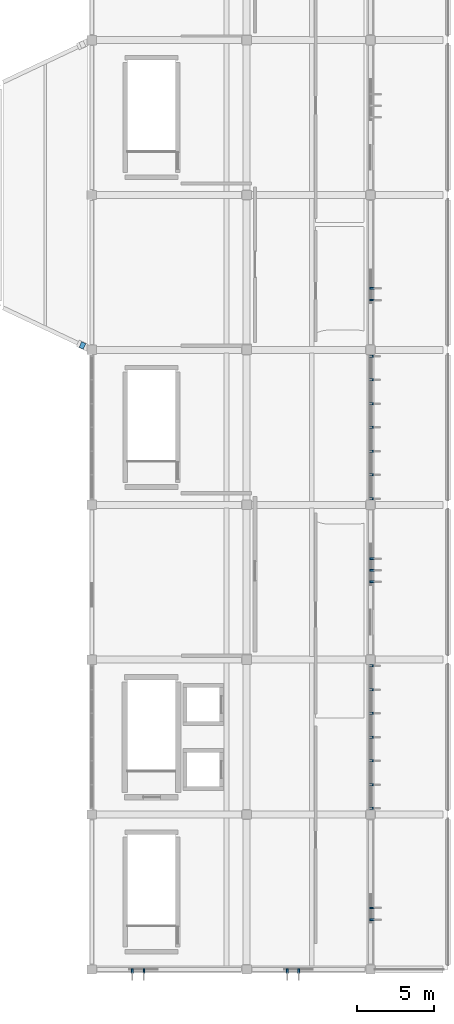
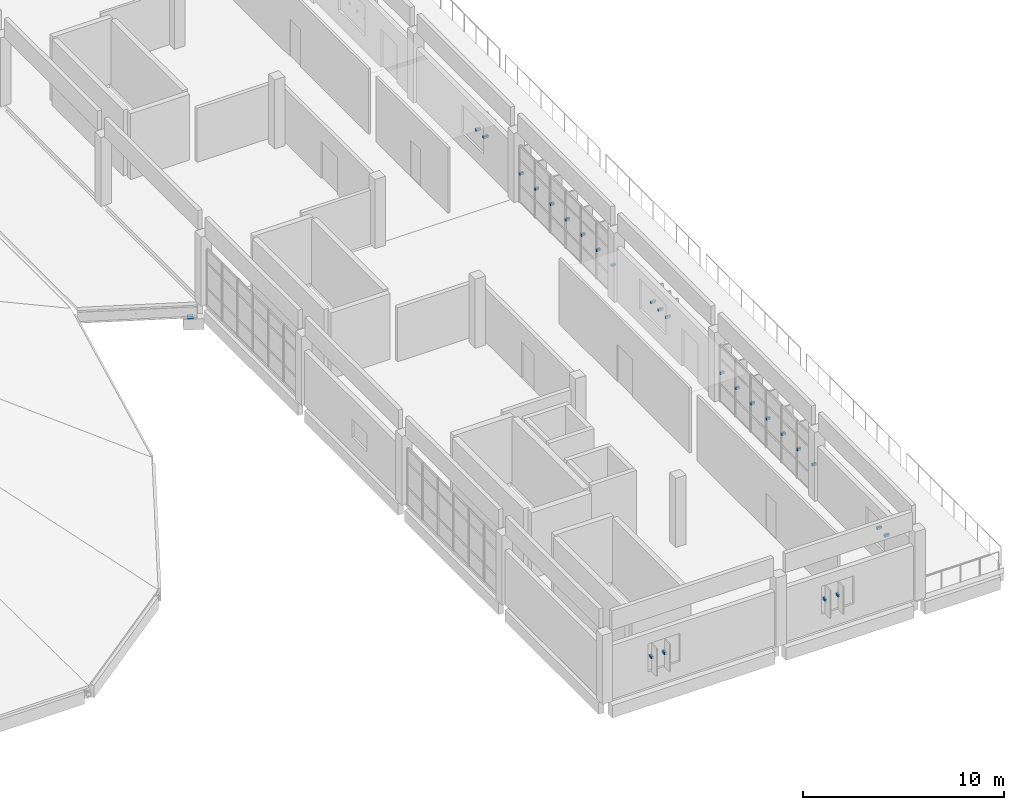
# One storey, part 35 of 39: 26 discrete accessories.
"""IFC4 building model written with IfcOpenShell, lengths in metres."""

import ifcopenshell
import ifcopenshell.guid

model = None  # the IFC model being written
_history = None  # IfcOwnerHistory: only IFC2X3 demands one
_inside = {}  # id of a spatial element -> (the spatial element, [elements in it])
_under = {}  # id of a project, library or spatial element -> (it, [spatial elements below it])
_declared = {}  # id of a project -> (the project, [libraries it declares])
_typed = {}  # id of a type object -> (the type object, [elements of that type])
_made_of = {}  # id of a material, layer set ... -> (it, [elements and type objects made of it])


def new_model(schema):
    """Start an empty IFC model of exactly this schema.

    Asked for "IFC4X3", IfcOpenShell would pick the latest addendum, in which some entities
    have other attributes; the version numbers below select the first issue.
    IFC2X3 requires an IfcOwnerHistory on every rooted entity: one is made here for all.
    """
    global model, _history
    if schema == "IFC4X3":
        model = ifcopenshell.file(schema_version=(4, 3, 0, 0))
    else:
        model = ifcopenshell.file(schema=schema)
    _inside.clear()
    _under.clear()
    _declared.clear()
    _typed.clear()
    _made_of.clear()
    _history = None
    if model.schema == "IFC2X3":
        org = make("IfcOrganization", Name="unknown")
        user = make(
            "IfcPersonAndOrganization",
            ThePerson=make("IfcPerson", FamilyName="unknown"),
            TheOrganization=org,
        )
        app = make(
            "IfcApplication",
            ApplicationDeveloper=org,
            Version="unknown",
            ApplicationFullName="unknown",
            ApplicationIdentifier="unknown",
        )
        _history = make(
            "IfcOwnerHistory",
            OwningUser=user,
            OwningApplication=app,
            ChangeAction="ADDED",
            CreationDate=0,
        )
    return model


def make(cls, **values):
    """One entity of the class cls with the attributes given. An attribute that is None is left unset."""
    return model.create_entity(
        cls, **{name: value for name, value in values.items() if value is not None}
    )


def rooted(cls, **values):
    """An entity with a GlobalId (a new one), such as an element, a storey or a relation."""
    return make(cls, GlobalId=ifcopenshell.guid.new(), OwnerHistory=_history, **values)


def si_unit(unit_type, name, prefix=None):
    """IfcSIUnit, for example si_unit("LENGTHUNIT", "METRE", prefix="MILLI")."""
    return make("IfcSIUnit", UnitType=unit_type, Prefix=prefix, Name=name)


def assignment(units):
    """IfcUnitAssignment: the units of a project."""
    return None if units is None else make("IfcUnitAssignment", Units=units)


def point(xyz):
    """IfcCartesianPoint."""
    return None if xyz is None else make("IfcCartesianPoint", Coordinates=xyz)


def direction(xyz):
    """IfcDirection."""
    return None if xyz is None else make("IfcDirection", DirectionRatios=xyz)


def frame(location, z_axis=None, x_axis=None):
    """IfcAxis2Placement3D, a coordinate frame: its origin and axes. An axis left out is left unset."""
    return make(
        "IfcAxis2Placement3D",
        Location=point(location),
        Axis=direction(z_axis),
        RefDirection=direction(x_axis),
    )


def frame_2d(location, x_axis=None):
    """IfcAxis2Placement2D, a coordinate frame in the plane: its origin and x axis."""
    return make(
        "IfcAxis2Placement2D", Location=point(location), RefDirection=direction(x_axis)
    )


def origin():
    """The frame at (0, 0, 0) with its axes left unset."""
    return frame((0.0, 0.0, 0.0))


def origin_2d():
    """The frame at (0, 0) in the plane with its x axis left unset."""
    return frame_2d((0.0, 0.0))


def place(relative_to, where):
    """IfcLocalPlacement: puts the frame where relative to a parent placement (None: the world)."""
    return make(
        "IfcLocalPlacement", PlacementRelTo=relative_to, RelativePlacement=where
    )


def context(
    kind, dimensions, precision=None, world=None, true_north=None, identifier=None
):
    """IfcGeometricRepresentationContext, for example the 3D "Model" context."""
    return make(
        "IfcGeometricRepresentationContext",
        ContextIdentifier=identifier,
        ContextType=kind,
        CoordinateSpaceDimension=dimensions,
        Precision=precision,
        WorldCoordinateSystem=world,
        TrueNorth=true_north,
    )


def subcontext(parent, identifier, kind, view, scale=None):
    """IfcGeometricRepresentationSubContext, for example "Body" below "Model"."""
    return make(
        "IfcGeometricRepresentationSubContext",
        ContextIdentifier=identifier,
        ContextType=kind,
        ParentContext=parent,
        TargetScale=scale,
        TargetView=view,
    )


def project(units=None, contexts=None):
    """IfcProject with its units and contexts."""
    return rooted(
        "IfcProject",
        Name="project",
        RepresentationContexts=contexts,
        UnitsInContext=assignment(units),
    )


def spatial(cls, under=None, at=None, **own):
    """A site, building, storey or space (cls), placed at a placement, below another one or the project."""
    s = rooted(cls, ObjectPlacement=at, **own)
    if under is not None:
        _under.setdefault(under.id(), (under, []))[1].append(s)
    return s


def profile(cls, at=None, kind="AREA", **sizes):
    """A parametric profile (cls). Its sizes go by their IFC names, for example OverallWidth=200.0."""
    return make(cls, ProfileType=kind, Position=at, **sizes)


def rectangle(**sizes):
    """IfcRectangleProfileDef."""
    return profile("IfcRectangleProfileDef", **sizes)


def extrude(swept, where, along, depth):
    """IfcExtrudedAreaSolid: the profile swept, set in the frame where, extruded along a direction by depth."""
    return make(
        "IfcExtrudedAreaSolid",
        SweptArea=swept,
        Position=where,
        ExtrudedDirection=direction(along),
        Depth=depth,
    )


def shape(context_of_items, identifier, shape_type, items):
    """IfcShapeRepresentation: the items that make up one representation, for example the "Body"."""
    return make(
        "IfcShapeRepresentation",
        ContextOfItems=context_of_items,
        RepresentationIdentifier=identifier,
        RepresentationType=shape_type,
        Items=items,
    )


def material(Name=None, Category=None):
    """IfcMaterial."""
    return make("IfcMaterial", Name=Name, Category=Category)


def made_of(thing, what):
    """Note that an element or type object is made of a material, layer set ...; save() writes the relation."""
    if what is not None:
        _made_of.setdefault(what.id(), (what, []))[1].append(thing)
    return thing


def type_object(cls, material=None, **own):
    """A type object (cls), such as IfcWallType, which elements share."""
    return made_of(rooted(cls, **own), material)


def element(
    cls,
    number,
    at=None,
    inside=None,
    cuts=None,
    type_object=None,
    material=None,
    context=None,
    identifier="Body",
    shape_type=None,
    held_by="IfcProductDefinitionShape",
    body=None,
    shapes=None,
    **own,
):
    """One element of the class cls, such as IfcWall. Its Tag is "e" and its number.

    at: its placement. inside: the storey or other place that contains it. cuts: it is an
    opening in that element (IfcRelVoidsElement). A single representation is given by context,
    identifier, shape_type and body (its items); several are given by shapes. held_by: the class
    of the entity that holds the representations. save() writes the other relations.
    """
    e = rooted(cls, Tag="e%d" % number, ObjectPlacement=at, **own)
    if body is not None:
        shapes = [shape(context, identifier, shape_type, body)]
    if shapes is not None:
        e.Representation = make(held_by, Representations=shapes)
    if inside is not None:
        _inside.setdefault(inside.id(), (inside, []))[1].append(e)
    if cuts is not None:
        rooted(
            "IfcRelVoidsElement", RelatingBuildingElement=cuts, RelatedOpeningElement=e
        )
    if type_object is not None:
        _typed.setdefault(type_object.id(), (type_object, []))[1].append(e)
    return made_of(e, material)


def aggregate(whole, parts):
    """IfcRelAggregates: a whole, such as a stair, and the parts it consists of."""
    return rooted("IfcRelAggregates", RelatingObject=whole, RelatedObjects=parts)


def save(model, path):
    """Write the relations noted so far, then the file.

    IfcRelAggregates (storeys below a building ...), IfcRelContainedInSpatialStructure (elements
    in a storey), IfcRelDefinesByType, IfcRelAssociatesMaterial and IfcRelDeclares: one each for
    every whole, place, type object, material and project.
    """
    for whole, parts in _under.values():
        aggregate(whole, parts)
    for where, things in _inside.values():
        rooted(
            "IfcRelContainedInSpatialStructure",
            RelatedElements=things,
            RelatingStructure=where,
        )
    for kind, things in _typed.values():
        rooted("IfcRelDefinesByType", RelatedObjects=things, RelatingType=kind)
    for what, things in _made_of.values():
        rooted("IfcRelAssociatesMaterial", RelatedObjects=things, RelatingMaterial=what)
    for by, libraries in _declared.values():
        rooted("IfcRelDeclares", RelatingContext=by, RelatedDefinitions=libraries)
    model.write(path)


model = new_model("IFC4")

# Units and contexts
model_context = context("Model", 3, precision=1e-05, world=origin(), true_north=direction((0.0, 1.0)))
body_context = subcontext(model_context, "Body", "Model", "MODEL_VIEW")
ifc_project = project(units=[si_unit("LENGTHUNIT", "METRE"), si_unit("AREAUNIT", "SQUARE_METRE"), si_unit("VOLUMEUNIT", "CUBIC_METRE"), si_unit("PLANEANGLEUNIT", "RADIAN"), si_unit("MASSUNIT", "GRAM", prefix="KILO")], contexts=[model_context])

# Site, building, storey
site_placement = place(None, origin())
site = spatial("IfcSite", under=ifc_project, at=site_placement, CompositionType="ELEMENT")
building_placement = place(site_placement, origin())
building = spatial("IfcBuilding", under=site, at=building_placement, Name="Corvandel Quay Wholesale Market", CompositionType="ELEMENT")
storey_placement = place(building_placement, frame((0.0, 0.0, 15.0)))
storey = spatial("IfcBuildingStorey", under=building, at=storey_placement, Name="L03", CompositionType="ELEMENT", Elevation=15.0)

# Discrete accessories
ifc_material_1 = material(Name="Austenitic stainless steel Grade 316", Category="steel")
discrete_accessory_type_1 = type_object("IfcDiscreteAccessoryType", Name="Stainless Solar Fin Fixing Bracket BRK01", PredefinedType="USERDEFINED", material=ifc_material_1)
for number, where, z_axis, x_axis, name in (
    (1, (238.10009765625, 13.219970703125, 1.68017578125), (0.0, 0.0, 1.0), (1.0, 0.0, 0.0), "Fin Bracket 0878"),
    (2, (238.10009765625, 13.969970703125, 1.68017578125), (0.0, 0.0, 1.0), (1.0, 0.0, 0.0), "Fin Bracket 0879"),
):
    element("IfcDiscreteAccessory", number, at=place(storey_placement, frame(where, z_axis=z_axis, x_axis=x_axis)), inside=storey, type_object=discrete_accessory_type_1, Name=name, ObjectType="BRACKET", PredefinedType="USERDEFINED", context=body_context, shape_type="SweptSolid", body=[
        extrude(rectangle(XDim=0.280029296875, YDim=0.1201171875, at=origin_2d()), origin(), (0.0, 0.0, 1.0), 0.139892578125),
    ])
for number, where, z_axis, x_axis, name in (
    (3, (238.06005859375, 20.39990234375, 1.6552734375), (0.0, 0.0, 1.0), (1.0, 0.0, 0.0), "Fin Bracket 0880"),
    (4, (238.06005859375, 21.933349609375, 1.6552734375), (0.0, 0.0, 1.0), (1.0, 0.0, 0.0), "Fin Bracket 0881"),
    (5, (238.06005859375, 23.466796875, 1.6552734375), (0.0, 0.0, 1.0), (1.0, 0.0, 0.0), "Fin Bracket 0882"),
    (6, (238.06005859375, 25.0, 1.6552734375), (0.0, 0.0, 1.0), (1.0, 0.0, 0.0), "Fin Bracket 0883"),
    (7, (238.06005859375, 26.533203125, 1.6552734375), (0.0, 0.0, 1.0), (1.0, 0.0, 0.0), "Fin Bracket 0884"),
    (8, (238.06005859375, 28.066650390625, 1.6552734375), (0.0, 0.0, 1.0), (1.0, 0.0, 0.0), "Fin Bracket 0885"),
    (9, (238.06005859375, 29.60009765625, 1.6552734375), (0.0, 0.0, 1.0), (1.0, 0.0, 0.0), "Fin Bracket 0886"),
):
    element("IfcDiscreteAccessory", number, at=place(storey_placement, frame(where, z_axis=z_axis, x_axis=x_axis)), inside=storey, type_object=discrete_accessory_type_1, Name=name, ObjectType="BRACKET", PredefinedType="USERDEFINED", context=body_context, shape_type="SweptSolid", body=[
        extrude(rectangle(XDim=0.239990234375, YDim=0.1201171875, at=origin_2d()), origin(), (0.0, 0.0, 1.0), 0.139892578125),
    ])
for number, where, z_axis, x_axis, name in (
    (10, (238.10009765625, 35.02001953125, 1.7548828125), (0.0, 0.0, 1.0), (1.0, 0.0, 0.0), "Fin Bracket 0887"),
    (11, (238.10009765625, 35.77001953125, 1.7548828125), (0.0, 0.0, 1.0), (1.0, 0.0, 0.0), "Fin Bracket 0888"),
    (12, (238.10009765625, 36.52001953125, 1.7548828125), (0.0, 0.0, 1.0), (1.0, 0.0, 0.0), "Fin Bracket 0889"),
):
    element("IfcDiscreteAccessory", number, at=place(storey_placement, frame(where, z_axis=z_axis, x_axis=x_axis)), inside=storey, type_object=discrete_accessory_type_1, Name=name, ObjectType="BRACKET", PredefinedType="USERDEFINED", context=body_context, shape_type="SweptSolid", body=[
        extrude(rectangle(XDim=0.280029296875, YDim=0.1201171875, at=origin_2d()), origin(), (0.0, 0.0, 1.0), 0.139892578125),
    ])
for number, where, z_axis, x_axis, name in (
    (13, (238.06005859375, 40.39990234375, 1.6552734375), (0.0, 0.0, 1.0), (1.0, 0.0, 0.0), "Fin Bracket 0890"),
    (14, (238.06005859375, 41.933349609375, 1.6552734375), (0.0, 0.0, 1.0), (1.0, 0.0, 0.0), "Fin Bracket 0891"),
    (15, (238.06005859375, 43.466796875, 1.6552734375), (0.0, 0.0, 1.0), (1.0, 0.0, 0.0), "Fin Bracket 0892"),
    (16, (238.06005859375, 45.0, 1.6552734375), (0.0, 0.0, 1.0), (1.0, 0.0, 0.0), "Fin Bracket 0893"),
    (17, (238.06005859375, 46.533203125, 1.6552734375), (0.0, 0.0, 1.0), (1.0, 0.0, 0.0), "Fin Bracket 0894"),
    (18, (238.06005859375, 48.066650390625, 1.6552734375), (0.0, 0.0, 1.0), (1.0, 0.0, 0.0), "Fin Bracket 0895"),
    (19, (238.06005859375, 49.60009765625, 1.6552734375), (0.0, 0.0, 1.0), (1.0, 0.0, 0.0), "Fin Bracket 0896"),
):
    element("IfcDiscreteAccessory", number, at=place(storey_placement, frame(where, z_axis=z_axis, x_axis=x_axis)), inside=storey, type_object=discrete_accessory_type_1, Name=name, ObjectType="BRACKET", PredefinedType="USERDEFINED", context=body_context, shape_type="SweptSolid", body=[
        extrude(rectangle(XDim=0.239990234375, YDim=0.1201171875, at=origin_2d()), origin(), (0.0, 0.0, 1.0), 0.139892578125),
    ])
for number, where, z_axis, x_axis, name in (
    (20, (238.10009765625, 53.219970703125, 1.68017578125), (0.0, 0.0, 1.0), (1.0, 0.0, 0.0), "Fin Bracket 0897"),
    (21, (238.10009765625, 53.969970703125, 1.68017578125), (0.0, 0.0, 1.0), (1.0, 0.0, 0.0), "Fin Bracket 0898"),
    (22, (222.6201171875, 9.89990234375, 1.72998046875), (0.0, 0.0, 1.0), (0.0, 1.0, 0.0), "Fin Bracket 0911"),
    (23, (223.3701171875, 9.89990234375, 1.72998046875), (0.0, 0.0, 1.0), (0.0, 1.0, 0.0), "Fin Bracket 0912"),
    (24, (232.6201171875, 9.89990234375, 1.72998046875), (0.0, 0.0, 1.0), (0.0, 1.0, 0.0), "Fin Bracket 0913"),
    (25, (233.3701171875, 9.89990234375, 1.72998046875), (0.0, 0.0, 1.0), (0.0, 1.0, 0.0), "Fin Bracket 0914"),
):
    element("IfcDiscreteAccessory", number, at=place(storey_placement, frame(where, z_axis=z_axis, x_axis=x_axis)), inside=storey, type_object=discrete_accessory_type_1, Name=name, ObjectType="BRACKET", PredefinedType="USERDEFINED", context=body_context, shape_type="SweptSolid", body=[
        extrude(rectangle(XDim=0.280029296875, YDim=0.1201171875, at=origin_2d()), origin(), (0.0, 0.0, 1.0), 0.139892578125),
    ])
ifc_material_2 = material(Name="PTFE elastomeric bearing assembly")
discrete_accessory_type_2 = type_object("IfcDiscreteAccessoryType", Name="Unguided Bi-Directional PTFE Sliding Bearing SBG01", PredefinedType="USERDEFINED", material=ifc_material_2)
discrete_accessory_placement = place(storey_placement, frame((219.39892578125, 50.284423828125, -0.923095703125), z_axis=(0.0, 0.0, 1.0), x_axis=(-0.903933318548, 0.427673421689, 0.0)))
element("IfcDiscreteAccessory", 26, at=discrete_accessory_placement, inside=storey, type_object=discrete_accessory_type_2, Name="PTFE Sliding Bearing SBG-023", ObjectType="SLIDING BEARING", PredefinedType="USERDEFINED", context=body_context, shape_type="SweptSolid", body=[
    extrude(rectangle(XDim=0.300048828125, YDim=0.39990234375, at=origin_2d()), origin(), (0.0, 0.0, 1.0), 0.0400390625),
])

save(model, "model.ifc")
